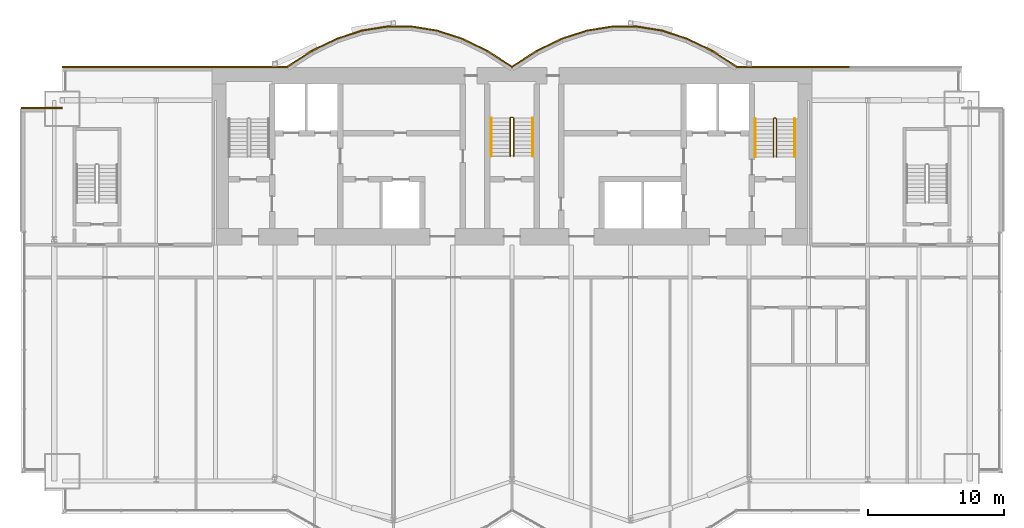
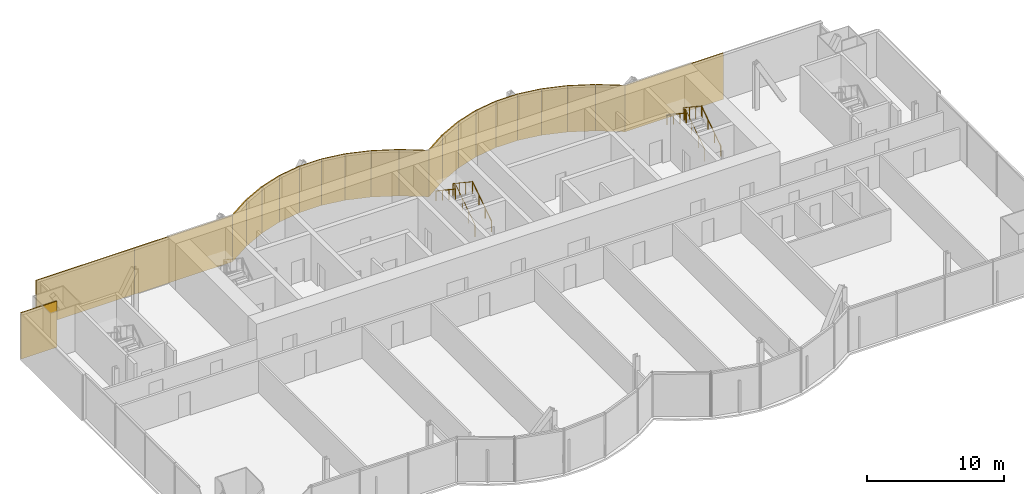
# One storey, part 19 of 20: 22 coverings, 6 railings.
"""IFC4 building model written with IfcOpenShell, lengths in metres."""

from ifc_helpers import new_model, si_unit, direction, frame, origin, origin_2d, place, context, subcontext, project, spatial, rectangle, circle, extrude, material, layer, layer_set, type_object, element, save


model = new_model("IFC4")

# Units and contexts
model_context = context("Model", 3, precision=1e-05, world=origin(), true_north=direction((0.0, 1.0)))
body_context = subcontext(model_context, "Body", "Model", "MODEL_VIEW")
ifc_project = project(units=[si_unit("LENGTHUNIT", "METRE"), si_unit("AREAUNIT", "SQUARE_METRE"), si_unit("VOLUMEUNIT", "CUBIC_METRE"), si_unit("PLANEANGLEUNIT", "RADIAN"), si_unit("MASSUNIT", "GRAM", prefix="KILO")], contexts=[model_context])

# Site, building, storey
site_placement = place(None, origin())
site = spatial("IfcSite", under=ifc_project, at=site_placement, CompositionType="ELEMENT")
building_placement = place(site_placement, origin())
building = spatial("IfcBuilding", under=site, at=building_placement, Name="Bicima Exchange Tower", CompositionType="ELEMENT")
storey_placement = place(building_placement, frame((0.0, 0.0, 199.10009765625)))
storey = spatial("IfcBuildingStorey", under=building, at=storey_placement, Name="L44", CompositionType="ELEMENT", Elevation=199.10009765625)

# Coverings
ifc_material_1 = material(Name="Bronze metal cladding")
ifc_layer_1 = layer(ifc_material_1, 0.004)
ifc_material_2 = material(Name="Ventilated cavity")
ifc_layer_2 = layer(ifc_material_2, 0.06)
ifc_material_3 = material(Name="Galvanised steel rail and mineral wool", Category="steel")
ifc_layer_3 = layer(ifc_material_3, 0.036)
ifc_layer_set = layer_set([ifc_layer_1, ifc_layer_2, ifc_layer_3], Name="Ventilated cavity")
covering_type = type_object("IfcCoveringType", Name="Bronze metal cladding panel 100", PredefinedType="CLADDING", material=ifc_layer_set)
covering_1_placement = place(storey_placement, frame((20.625, 0.050048828125, -0.150146484375), z_axis=(0.0, 0.0, 1.0), x_axis=(-1.0, 0.0, 0.0)))
element("IfcCovering", 1, at=covering_1_placement, inside=storey, type_object=covering_type, Name="Bronze cladding L44 1.2", PredefinedType="CLADDING", context=body_context, shape_type="SweptSolid", body=[
    extrude(rectangle(XDim=8.25, YDim=0.10009765625, at=origin_2d()), origin(), (0.0, 0.0, 1.0), 4.10009765625),
])
covering_2_placement = place(storey_placement, frame((15.610595703125, 0.634521484375, -0.150146484375), z_axis=(0.0, 0.0, 1.0), x_axis=(-0.839790466384, 0.542910648791, 0.0)))
element("IfcCovering", 2, at=covering_2_placement, inside=storey, type_object=covering_type, Name="Bronze cladding L44 2.1", PredefinedType="CLADDING", context=body_context, shape_type="SweptSolid", body=[
    extrude(rectangle(XDim=2.18310546875, YDim=0.10009765625, at=origin_2d()), origin(), (0.0, 0.0, 1.0), 4.10009765625),
])
covering_3_placement = place(storey_placement, frame((13.771728515625, 1.674560546875, -0.150146484375), z_axis=(0.0, 0.0, 1.0), x_axis=(-0.899818346812, 0.436264762204, 0.0)))
element("IfcCovering", 3, at=covering_3_placement, inside=storey, type_object=covering_type, Name="Bronze cladding L44 3.1", PredefinedType="CLADDING", context=body_context, shape_type="SweptSolid", body=[
    extrude(rectangle(XDim=2.03759765625, YDim=0.10009765625, at=origin_2d()), origin(), (0.0, 0.0, 1.0), 4.10009765625),
])
covering_4_placement = place(storey_placement, frame((11.931884765625, 2.41796875, -0.150146484375), z_axis=(0.0, 0.0, 1.0), x_axis=(-0.951524642381, 0.307572519808, 0.0)))
element("IfcCovering", 4, at=covering_4_placement, inside=storey, type_object=covering_type, Name="Bronze cladding L44 4.1", PredefinedType="CLADDING", context=body_context, shape_type="SweptSolid", body=[
    extrude(rectangle(XDim=1.9267578125, YDim=0.10009765625, at=origin_2d()), origin(), (0.0, 0.0, 1.0), 4.10009765625),
])
covering_5_placement = place(storey_placement, frame((10.09130859375, 2.8642578125, -0.150146484375), z_axis=(0.0, 0.0, 1.0), x_axis=(-0.987189786347, 0.159550386184, 0.0)))
element("IfcCovering", 5, at=covering_5_placement, inside=storey, type_object=covering_type, Name="Bronze cladding L44 5.1", PredefinedType="CLADDING", context=body_context, shape_type="SweptSolid", body=[
    extrude(rectangle(XDim=1.857177734375, YDim=0.10009765625, at=origin_2d()), origin(), (0.0, 0.0, 1.0), 4.10009765625),
])
covering_6_placement = place(storey_placement, frame((8.25, 3.012939453125, -0.150146484375), z_axis=(0.0, 0.0, 1.0), x_axis=(-1.0, 0.0, 0.0)))
element("IfcCovering", 6, at=covering_6_placement, inside=storey, type_object=covering_type, Name="Bronze cladding L44 6.1", PredefinedType="CLADDING", context=body_context, shape_type="SweptSolid", body=[
    extrude(rectangle(XDim=1.83349609375, YDim=0.10009765625, at=origin_2d()), origin(), (0.0, 0.0, 1.0), 4.10009765625),
])
covering_7_placement = place(storey_placement, frame((6.40869140625, 2.8642578125, -0.150146484375), z_axis=(0.0, 0.0, 1.0), x_axis=(-0.987189786347, -0.159550386184, 0.0)))
element("IfcCovering", 7, at=covering_7_placement, inside=storey, type_object=covering_type, Name="Bronze cladding L44 7.1", PredefinedType="CLADDING", context=body_context, shape_type="SweptSolid", body=[
    extrude(rectangle(XDim=1.857177734375, YDim=0.10009765625, at=origin_2d()), origin(), (0.0, 0.0, 1.0), 4.10009765625),
])
covering_8_placement = place(storey_placement, frame((4.568115234375, 2.41796875, -0.150146484375), z_axis=(0.0, 0.0, 1.0), x_axis=(-0.951524642381, -0.307572519808, 0.0)))
element("IfcCovering", 8, at=covering_8_placement, inside=storey, type_object=covering_type, Name="Bronze cladding L44 8.1", PredefinedType="CLADDING", context=body_context, shape_type="SweptSolid", body=[
    extrude(rectangle(XDim=1.9267578125, YDim=0.10009765625, at=origin_2d()), origin(), (0.0, 0.0, 1.0), 4.10009765625),
])
covering_9_placement = place(storey_placement, frame((2.728271484375, 1.674560546875, -0.150146484375), z_axis=(0.0, 0.0, 1.0), x_axis=(-0.899818346812, -0.436264762204, 0.0)))
element("IfcCovering", 9, at=covering_9_placement, inside=storey, type_object=covering_type, Name="Bronze cladding L44 9.1", PredefinedType="CLADDING", context=body_context, shape_type="SweptSolid", body=[
    extrude(rectangle(XDim=2.03759765625, YDim=0.10009765625, at=origin_2d()), origin(), (0.0, 0.0, 1.0), 4.10009765625),
])
for number, where, z_axis, x_axis, name in (
    (10, (0.889404296875, 0.634521484375, -0.150146484375), (0.0, 0.0, 1.0), (-0.839790466384, -0.542910648791, 0.0), "Bronze cladding L44 10.1"),
    (11, (-0.889404296875, 0.634521484375, -0.150146484375), (0.0, 0.0, 1.0), (-0.839790466384, 0.542910648791, 0.0), "Bronze cladding L44 11.1"),
):
    element("IfcCovering", number, at=place(storey_placement, frame(where, z_axis=z_axis, x_axis=x_axis)), inside=storey, type_object=covering_type, Name=name, PredefinedType="CLADDING", context=body_context, shape_type="SweptSolid", body=[
        extrude(rectangle(XDim=2.18310546875, YDim=0.10009765625, at=origin_2d()), origin(), (0.0, 0.0, 1.0), 4.10009765625),
    ])
covering_10_placement = place(storey_placement, frame((-2.728271484375, 1.674560546875, -0.150146484375), z_axis=(0.0, 0.0, 1.0), x_axis=(-0.899818346812, 0.436264762204, 0.0)))
element("IfcCovering", 12, at=covering_10_placement, inside=storey, type_object=covering_type, Name="Bronze cladding L44 12.1", PredefinedType="CLADDING", context=body_context, shape_type="SweptSolid", body=[
    extrude(rectangle(XDim=2.03759765625, YDim=0.10009765625, at=origin_2d()), origin(), (0.0, 0.0, 1.0), 4.10009765625),
])
covering_11_placement = place(storey_placement, frame((-4.568115234375, 2.41796875, -0.150146484375), z_axis=(0.0, 0.0, 1.0), x_axis=(-0.951524642381, 0.307572519808, 0.0)))
element("IfcCovering", 13, at=covering_11_placement, inside=storey, type_object=covering_type, Name="Bronze cladding L44 13.1", PredefinedType="CLADDING", context=body_context, shape_type="SweptSolid", body=[
    extrude(rectangle(XDim=1.9267578125, YDim=0.10009765625, at=origin_2d()), origin(), (0.0, 0.0, 1.0), 4.10009765625),
])
covering_12_placement = place(storey_placement, frame((-6.40869140625, 2.8642578125, -0.150146484375), z_axis=(0.0, 0.0, 1.0), x_axis=(-0.987189786347, 0.159550386184, 0.0)))
element("IfcCovering", 14, at=covering_12_placement, inside=storey, type_object=covering_type, Name="Bronze cladding L44 14.1", PredefinedType="CLADDING", context=body_context, shape_type="SweptSolid", body=[
    extrude(rectangle(XDim=1.857177734375, YDim=0.10009765625, at=origin_2d()), origin(), (0.0, 0.0, 1.0), 4.10009765625),
])
covering_13_placement = place(storey_placement, frame((-8.25, 3.012939453125, -0.150146484375), z_axis=(0.0, 0.0, 1.0), x_axis=(-1.0, 0.0, 0.0)))
element("IfcCovering", 15, at=covering_13_placement, inside=storey, type_object=covering_type, Name="Bronze cladding L44 15.1", PredefinedType="CLADDING", context=body_context, shape_type="SweptSolid", body=[
    extrude(rectangle(XDim=1.83349609375, YDim=0.10009765625, at=origin_2d()), origin(), (0.0, 0.0, 1.0), 4.10009765625),
])
covering_14_placement = place(storey_placement, frame((-10.09130859375, 2.8642578125, -0.150146484375), z_axis=(0.0, 0.0, 1.0), x_axis=(-0.987189786347, -0.159550386184, 0.0)))
element("IfcCovering", 16, at=covering_14_placement, inside=storey, type_object=covering_type, Name="Bronze cladding L44 16.1", PredefinedType="CLADDING", context=body_context, shape_type="SweptSolid", body=[
    extrude(rectangle(XDim=1.857177734375, YDim=0.10009765625, at=origin_2d()), origin(), (0.0, 0.0, 1.0), 4.10009765625),
])
covering_15_placement = place(storey_placement, frame((-11.931884765625, 2.41796875, -0.150146484375), z_axis=(0.0, 0.0, 1.0), x_axis=(-0.951524642381, -0.307572519808, 0.0)))
element("IfcCovering", 17, at=covering_15_placement, inside=storey, type_object=covering_type, Name="Bronze cladding L44 17.1", PredefinedType="CLADDING", context=body_context, shape_type="SweptSolid", body=[
    extrude(rectangle(XDim=1.9267578125, YDim=0.10009765625, at=origin_2d()), origin(), (0.0, 0.0, 1.0), 4.10009765625),
])
covering_16_placement = place(storey_placement, frame((-13.771728515625, 1.674560546875, -0.150146484375), z_axis=(0.0, 0.0, 1.0), x_axis=(-0.899818346812, -0.436264762204, 0.0)))
element("IfcCovering", 18, at=covering_16_placement, inside=storey, type_object=covering_type, Name="Bronze cladding L44 18.1", PredefinedType="CLADDING", context=body_context, shape_type="SweptSolid", body=[
    extrude(rectangle(XDim=2.03759765625, YDim=0.10009765625, at=origin_2d()), origin(), (0.0, 0.0, 1.0), 4.10009765625),
])
covering_17_placement = place(storey_placement, frame((-15.610595703125, 0.634521484375, -0.150146484375), z_axis=(0.0, 0.0, 1.0), x_axis=(-0.839790466384, -0.542910648791, 0.0)))
element("IfcCovering", 19, at=covering_17_placement, inside=storey, type_object=covering_type, Name="Bronze cladding L44 19.1", PredefinedType="CLADDING", context=body_context, shape_type="SweptSolid", body=[
    extrude(rectangle(XDim=2.18310546875, YDim=0.10009765625, at=origin_2d()), origin(), (0.0, 0.0, 1.0), 4.10009765625),
])
for number, where, z_axis, x_axis, name in (
    (20, (-20.625, 0.050048828125, -0.150146484375), (0.0, 0.0, 1.0), (-1.0, 0.0, 0.0), "Bronze cladding L44 20.1"),
    (21, (-28.875, 0.050048828125, -0.150146484375), (0.0, 0.0, 1.0), (-1.0, 0.0, 0.0), "Bronze cladding L44 20.2"),
):
    element("IfcCovering", number, at=place(storey_placement, frame(where, z_axis=z_axis, x_axis=x_axis)), inside=storey, type_object=covering_type, Name=name, PredefinedType="CLADDING", context=body_context, shape_type="SweptSolid", body=[
        extrude(rectangle(XDim=8.25, YDim=0.10009765625, at=origin_2d()), origin(), (0.0, 0.0, 1.0), 4.10009765625),
    ])
covering_18_placement = place(storey_placement, frame((-34.5, -2.949951171875, -0.150146484375), z_axis=(0.0, 0.0, 1.0), x_axis=(-1.0, 0.0, 0.0)))
element("IfcCovering", 22, at=covering_18_placement, inside=storey, type_object=covering_type, Name="Bronze cladding L44 22.1", PredefinedType="CLADDING", context=body_context, shape_type="SweptSolid", body=[
    extrude(rectangle(XDim=3.0, YDim=0.10009765625, at=origin_2d()), origin(), (0.0, 0.0, 1.0), 4.10009765625),
])

# Railings
ifc_material_4 = material(Name="Stainless steel", Category="steel")
railing_type_1 = type_object("IfcRailingType", Name="Stair guard 1100", PredefinedType="GUARDRAIL", material=ifc_material_4)
railing_1_placement = place(storey_placement, frame((0.125, -6.5, 0.186279296875)))
element("IfcRailing", 23, at=railing_1_placement, inside=storey, type_object=railing_type_1, Name="L44 ST-C stair guard 1", PredefinedType="GUARDRAIL", context=body_context, shape_type="SweptSolid", body=[
    extrude(circle(Radius=0.02392578125, at=origin_2d()), frame((0.0, 0.0, 1.076171875), z_axis=(0.0, 0.832485552168, 0.554046753832), x_axis=(-1.0, 0.0, 0.0)), (0.0, 0.0, 1.0), 3.363525390625),
    extrude(circle(Radius=0.02392578125, at=origin_2d()), frame((0.0, 2.800048828125, 2.939453125), z_axis=(-0.707106781187, 0.707106781187, 0.0), x_axis=(-0.707106781187, -0.707106781187, 0.0)), (0.0, 0.0, 1.0), 0.07080078125),
    extrude(circle(Radius=0.02392578125, at=origin_2d()), frame((-0.050048828125, 2.85009765625, 2.939453125), z_axis=(-1.0, 0.0, 0.0), x_axis=(0.0, -1.0, 0.0)), (0.0, 0.0, 1.0), 0.14990234375),
    extrude(circle(Radius=0.02392578125, at=origin_2d()), frame((-0.199951171875, 2.85009765625, 2.939453125), z_axis=(-0.250869701741, -0.250869701741, 0.934948546978), x_axis=(0.707106781187, -0.707106781187, 0.0)), (0.0, 0.0, 1.0), 0.199462890625),
    extrude(circle(Radius=0.02392578125, at=origin_2d()), frame((-0.25, 2.800048828125, 3.1259765625), z_axis=(0.0, -0.832485552168, 0.554046753832), x_axis=(1.0, 0.0, 0.0)), (0.0, 0.0, 1.0), 3.363525390625),
    extrude(circle(Radius=0.02099609375, at=origin_2d()), origin(), (0.0, 0.0, 1.0), 1.052001953125),
    extrude(circle(Radius=0.02099609375, at=origin_2d()), frame((0.0, 0.933349609375, 0.62109375)), (0.0, 0.0, 1.0), 1.052001953125),
    extrude(circle(Radius=0.02099609375, at=origin_2d()), frame((0.0, 1.86669921875, 1.242431640625)), (0.0, 0.0, 1.0), 1.052001953125),
    extrude(circle(Radius=0.02099609375, at=origin_2d()), frame((0.0, 2.800048828125, 1.863525390625)), (0.0, 0.0, 1.0), 1.052001953125),
    extrude(circle(Radius=0.02099609375, at=origin_2d()), frame((-0.050048828125, 2.85009765625, 1.863525390625)), (0.0, 0.0, 1.0), 1.052001953125),
    extrude(circle(Radius=0.02099609375, at=origin_2d()), frame((-0.199951171875, 2.85009765625, 1.863525390625)), (0.0, 0.0, 1.0), 1.052001953125),
    extrude(circle(Radius=0.02099609375, at=origin_2d()), frame((-0.25, 2.800048828125, 2.050048828125)), (0.0, 0.0, 1.0), 1.052001953125),
    extrude(circle(Radius=0.02099609375, at=origin_2d()), frame((-0.25, 1.86669921875, 2.671142578125)), (0.0, 0.0, 1.0), 1.052001953125),
    extrude(circle(Radius=0.02099609375, at=origin_2d()), frame((-0.25, 0.933349609375, 3.29248046875)), (0.0, 0.0, 1.0), 1.052001953125),
    extrude(circle(Radius=0.02099609375, at=origin_2d()), frame((-0.25, 0.0, 3.91357421875)), (0.0, 0.0, 1.0), 1.052001953125),
])
railing_2_placement = place(storey_placement, frame((19.39990234375, -6.550048828125, 0.186279296875)))
element("IfcRailing", 24, at=railing_2_placement, inside=storey, type_object=railing_type_1, Name="L44 ST-E stair guard 1", PredefinedType="GUARDRAIL", context=body_context, shape_type="SweptSolid", body=[
    extrude(circle(Radius=0.02392578125, at=origin_2d()), frame((0.0, 0.0, 1.076171875), z_axis=(0.0, 0.832485552168, 0.554046753832), x_axis=(-1.0, 0.0, 0.0)), (0.0, 0.0, 1.0), 3.363525390625),
    extrude(circle(Radius=0.02392578125, at=origin_2d()), frame((0.0, 2.800048828125, 2.939453125), z_axis=(-0.705375805398, 0.708833529934, 0.0), x_axis=(-0.708833529934, -0.705375805398, 0.0)), (0.0, 0.0, 1.0), 0.070556640625),
    extrude(circle(Radius=0.02392578125, at=origin_2d()), frame((-0.0498046875, 2.85009765625, 2.939453125), z_axis=(-1.0, 0.0, 0.0), x_axis=(0.0, -1.0, 0.0)), (0.0, 0.0, 1.0), 0.10009765625),
    extrude(circle(Radius=0.02392578125, at=origin_2d()), frame((-0.14990234375, 2.85009765625, 2.939453125), z_axis=(-0.250869701741, -0.250869701741, 0.934948546978), x_axis=(0.707106781187, -0.707106781187, 0.0)), (0.0, 0.0, 1.0), 0.199462890625),
    extrude(circle(Radius=0.02392578125, at=origin_2d()), frame((-0.199951171875, 2.800048828125, 3.1259765625), z_axis=(0.0, -0.832485552168, 0.554046753832), x_axis=(1.0, 0.0, 0.0)), (0.0, 0.0, 1.0), 3.363525390625),
    extrude(circle(Radius=0.02099609375, at=origin_2d()), origin(), (0.0, 0.0, 1.0), 1.052001953125),
    extrude(circle(Radius=0.02099609375, at=origin_2d()), frame((0.0, 0.933349609375, 0.62109375)), (0.0, 0.0, 1.0), 1.052001953125),
    extrude(circle(Radius=0.02099609375, at=origin_2d()), frame((0.0, 1.86669921875, 1.242431640625)), (0.0, 0.0, 1.0), 1.052001953125),
    extrude(circle(Radius=0.02099609375, at=origin_2d()), frame((0.0, 2.800048828125, 1.863525390625)), (0.0, 0.0, 1.0), 1.052001953125),
    extrude(circle(Radius=0.02099609375, at=origin_2d()), frame((-0.0498046875, 2.85009765625, 1.863525390625)), (0.0, 0.0, 1.0), 1.052001953125),
    extrude(circle(Radius=0.02099609375, at=origin_2d()), frame((-0.14990234375, 2.85009765625, 1.863525390625)), (0.0, 0.0, 1.0), 1.052001953125),
    extrude(circle(Radius=0.02099609375, at=origin_2d()), frame((-0.199951171875, 2.800048828125, 2.050048828125)), (0.0, 0.0, 1.0), 1.052001953125),
    extrude(circle(Radius=0.02099609375, at=origin_2d()), frame((-0.199951171875, 1.86669921875, 2.671142578125)), (0.0, 0.0, 1.0), 1.052001953125),
    extrude(circle(Radius=0.02099609375, at=origin_2d()), frame((-0.199951171875, 0.933349609375, 3.29248046875)), (0.0, 0.0, 1.0), 1.052001953125),
    extrude(circle(Radius=0.02099609375, at=origin_2d()), frame((-0.199951171875, 0.0, 3.91357421875)), (0.0, 0.0, 1.0), 1.052001953125),
])
railing_type_2 = type_object("IfcRailingType", Name="Stair handrail 900", PredefinedType="HANDRAIL", material=ifc_material_4)
railing_3_placement = place(storey_placement, frame((1.52490234375, -6.5, 0.186279296875)))
element("IfcRailing", 25, at=railing_3_placement, inside=storey, type_object=railing_type_2, Name="L44 ST-C stair handrail 1", PredefinedType="HANDRAIL", context=body_context, shape_type="SweptSolid", body=[
    extrude(circle(Radius=0.02392578125, at=origin_2d()), frame((0.0, 0.0, 0.8759765625), z_axis=(0.0, 0.832485552168, 0.554046753832), x_axis=(-1.0, 0.0, 0.0)), (0.0, 0.0, 1.0), 3.363525390625),
    extrude(circle(Radius=0.02099609375, at=origin_2d()), origin(), (0.0, 0.0, 1.0), 0.851806640625),
    extrude(circle(Radius=0.02099609375, at=origin_2d()), frame((0.0, 0.933349609375, 0.62109375)), (0.0, 0.0, 1.0), 0.851806640625),
    extrude(circle(Radius=0.02099609375, at=origin_2d()), frame((0.0, 1.86669921875, 1.242431640625)), (0.0, 0.0, 1.0), 0.851806640625),
    extrude(circle(Radius=0.02099609375, at=origin_2d()), frame((0.0, 2.800048828125, 1.863525390625)), (0.0, 0.0, 1.0), 0.851806640625),
])
railing_4_placement = place(storey_placement, frame((-1.52490234375, -3.699951171875, 2.276611328125)))
element("IfcRailing", 26, at=railing_4_placement, inside=storey, type_object=railing_type_2, Name="L44 ST-C stair handrail 2", PredefinedType="HANDRAIL", context=body_context, shape_type="SweptSolid", body=[
    extrude(circle(Radius=0.02392578125, at=origin_2d()), frame((0.0, 0.0, 0.8759765625), z_axis=(0.0, -0.832452072856, 0.554097055034), x_axis=(1.0, 0.0, 0.0)), (0.0, 0.0, 1.0), 3.363525390625),
    extrude(circle(Radius=0.02099609375, at=origin_2d()), origin(), (0.0, 0.0, 1.0), 0.851806640625),
    extrude(circle(Radius=0.02099609375, at=origin_2d()), frame((0.0, -0.933349609375, 0.621337890625)), (0.0, 0.0, 1.0), 0.851806640625),
    extrude(circle(Radius=0.02099609375, at=origin_2d()), frame((0.0, -1.86669921875, 1.242431640625)), (0.0, 0.0, 1.0), 0.851806640625),
    extrude(circle(Radius=0.02099609375, at=origin_2d()), frame((0.0, -2.800048828125, 1.86376953125)), (0.0, 0.0, 1.0), 0.851806640625),
])
railing_5_placement = place(storey_placement, frame((20.75, -6.550048828125, 0.186279296875)))
element("IfcRailing", 27, at=railing_5_placement, inside=storey, type_object=railing_type_2, Name="L44 ST-E stair handrail 1", PredefinedType="HANDRAIL", context=body_context, shape_type="SweptSolid", body=[
    extrude(circle(Radius=0.02392578125, at=origin_2d()), frame((0.0, 0.0, 0.8759765625), z_axis=(0.0, 0.832485552168, 0.554046753832), x_axis=(-1.0, 0.0, 0.0)), (0.0, 0.0, 1.0), 3.363525390625),
    extrude(circle(Radius=0.02099609375, at=origin_2d()), origin(), (0.0, 0.0, 1.0), 0.851806640625),
    extrude(circle(Radius=0.02099609375, at=origin_2d()), frame((0.0, 0.933349609375, 0.62109375)), (0.0, 0.0, 1.0), 0.851806640625),
    extrude(circle(Radius=0.02099609375, at=origin_2d()), frame((0.0, 1.86669921875, 1.242431640625)), (0.0, 0.0, 1.0), 0.851806640625),
    extrude(circle(Radius=0.02099609375, at=origin_2d()), frame((0.0, 2.800048828125, 1.863525390625)), (0.0, 0.0, 1.0), 0.851806640625),
])
railing_6_placement = place(storey_placement, frame((17.85009765625, -3.75, 2.276611328125)))
element("IfcRailing", 28, at=railing_6_placement, inside=storey, type_object=railing_type_2, Name="L44 ST-E stair handrail 2", PredefinedType="HANDRAIL", context=body_context, shape_type="SweptSolid", body=[
    extrude(circle(Radius=0.02392578125, at=origin_2d()), frame((0.0, 0.0, 0.8759765625), z_axis=(0.0, -0.832452072856, 0.554097055034), x_axis=(1.0, 0.0, 0.0)), (0.0, 0.0, 1.0), 3.363525390625),
    extrude(circle(Radius=0.02099609375, at=origin_2d()), origin(), (0.0, 0.0, 1.0), 0.851806640625),
    extrude(circle(Radius=0.02099609375, at=origin_2d()), frame((0.0, -0.933349609375, 0.621337890625)), (0.0, 0.0, 1.0), 0.851806640625),
    extrude(circle(Radius=0.02099609375, at=origin_2d()), frame((0.0, -1.86669921875, 1.242431640625)), (0.0, 0.0, 1.0), 0.851806640625),
    extrude(circle(Radius=0.02099609375, at=origin_2d()), frame((0.0, -2.800048828125, 1.86376953125)), (0.0, 0.0, 1.0), 0.851806640625),
])

save(model, "model.ifc")
